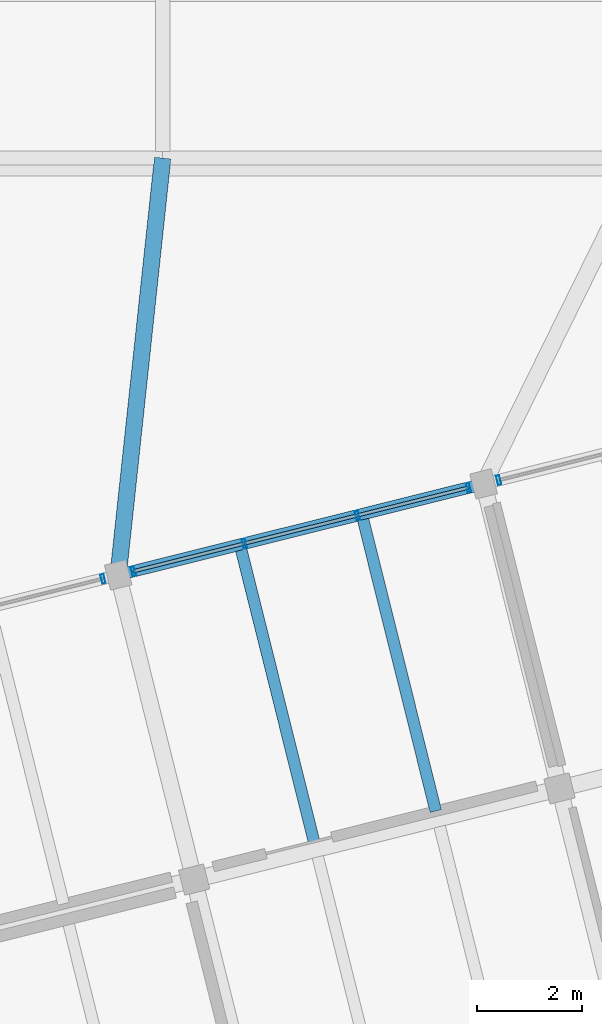
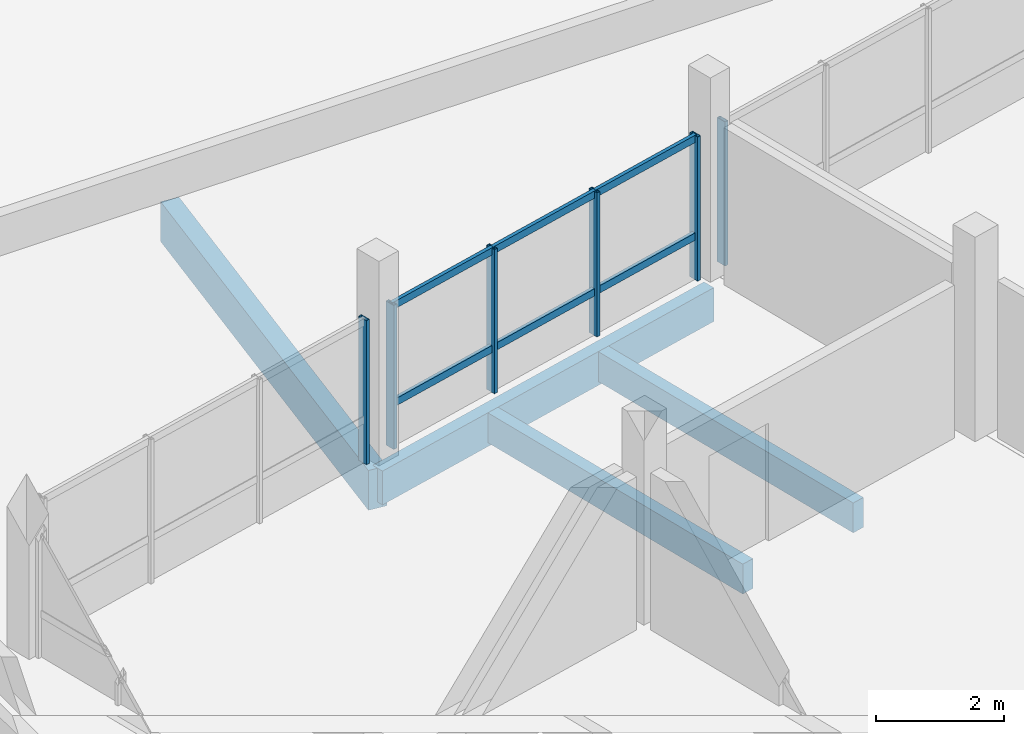
# One storey, part 21 of 37: 12 members, 4 beams, 3 elements without a shape of their own.
"""IFC4 building model written with IfcOpenShell, lengths in metres."""

from ifc_helpers import new_model, si_unit, direction, frame, origin, origin_2d, place, context, subcontext, project, spatial, rectangle, hollow_rectangle, extrude, material, layer, layer_set, material_profile, profile_set, type_object, element, aggregate, save


model = new_model("IFC4")

# Units and contexts
model_context = context("Model", 3, precision=1e-05, world=origin(), true_north=direction((0.0, 1.0)))
body_context = subcontext(model_context, "Body", "Model", "MODEL_VIEW")
ifc_project = project(units=[si_unit("LENGTHUNIT", "METRE"), si_unit("AREAUNIT", "SQUARE_METRE"), si_unit("VOLUMEUNIT", "CUBIC_METRE"), si_unit("PLANEANGLEUNIT", "RADIAN"), si_unit("MASSUNIT", "GRAM", prefix="KILO")], contexts=[model_context])

# Site, building, storey
site_placement = place(None, origin())
site = spatial("IfcSite", under=ifc_project, at=site_placement, CompositionType="ELEMENT")
building_placement = place(site_placement, origin())
building = spatial("IfcBuilding", under=site, at=building_placement, Name="Meriwether Solvik Hall", CompositionType="ELEMENT")
storey_placement = place(building_placement, frame((0.0, 0.0, 26.10009765625)))
storey = spatial("IfcBuildingStorey", under=building, at=storey_placement, Name="L06", CompositionType="ELEMENT", Elevation=26.10009765625)

# Beams
ifc_material_1 = material(Name="Glulam Douglas-Fir 24F-V8 GL28h", Category="wood")
ifc_material_profile_1 = material_profile(ifc_material_1, rectangle(XDim=0.221923828125, YDim=0.64501953125, at=origin_2d()), Name="GLB-222X645")
ifc_profile_set_1 = profile_set([ifc_material_profile_1], Name="Glulam Douglas-Fir 24F-V8 GL28h")
beam_type_1 = type_object("IfcBeamType", Name="BM-GL-222X645", PredefinedType="SPANDREL", material=ifc_profile_set_1)
beam_1_placement = place(storey_placement, frame((67.7490234375, 76.028564453125, -0.592529296875), z_axis=(0.970291911955, 0.241937193493, 0.0), x_axis=(-0.241937193493, 0.970291911955, 0.0)))
element("IfcBeam", 1, at=beam_1_placement, inside=storey, type_object=beam_type_1, Name="Tower Girder TF:T2-T3 (L06)", PredefinedType="SPANDREL", context=body_context, shape_type="SweptSolid", body=[
    extrude(rectangle(XDim=0.221923828125, YDim=0.64501953125, at=origin_2d()), origin(), (0.0, 0.0, 1.0), 7.199951171875),
])
ifc_material_2 = material(Name="Glulam Douglas-Fir 24F-V8 GL28h", Category="wood")
ifc_material_profile_2 = material_profile(ifc_material_2, rectangle(XDim=0.31494140625, YDim=0.760009765625, at=origin_2d()), Name="GLB-315X760")
ifc_profile_set_2 = profile_set([ifc_material_profile_2], Name="Glulam Douglas-Fir 24F-V8 GL28h")
beam_type_2 = type_object("IfcBeamType", Name="BM-GL-315X760", PredefinedType="BEAM", material=ifc_profile_set_2)
beam_2_placement = place(storey_placement, frame((67.7490234375, 76.028564453125, -0.650146484375), z_axis=(0.106162139873, 0.99434883218, 0.0), x_axis=(-0.99434883218, 0.106162139873, 0.0)))
element("IfcBeam", 2, at=beam_2_placement, inside=storey, type_object=beam_type_2, Name="Diaphragm Collector Girder T2/TF-8/J (L06)", PredefinedType="BEAM", context=body_context, shape_type="SweptSolid", body=[
    extrude(rectangle(XDim=0.31494140625, YDim=0.760009765625, at=origin_2d()), origin(), (0.0, 0.0, 1.0), 8.016845703125),
])

# Curtain wall, member
ifc_material_3 = material(Name="Thermally Broken Anodised Aluminium 6063-T6 and Low-E Glass", Category="aluminium")
ifc_layer_1 = layer(ifc_material_3, 0.179931640625)
ifc_layer_set_1 = layer_set([ifc_layer_1], Name="Thermally Broken Anodised Aluminium 6063-T6 and Low-E Glass")
curtain_wall_type_1 = type_object("IfcCurtainWallType", Name="CW-UNIT-A", PredefinedType="USERDEFINED", material=ifc_layer_set_1)
curtain_wall_1_placement = place(storey_placement, origin())
curtain_wall_1 = element("IfcCurtainWall", 3, at=curtain_wall_1_placement, inside=storey, type_object=curtain_wall_type_1, Name="Curtain Wall E4_B0 (L06)", ObjectType="UNITISED CURTAIN WALL", PredefinedType="USERDEFINED")
ifc_material_4 = material(Name="Anodised Aluminium 6063-T6", Category="aluminium")
ifc_material_profile_3 = material_profile(ifc_material_4, hollow_rectangle(XDim=0.06494140625, YDim=0.179931640625, WallThickness=0.00439453125, at=origin_2d()), Name="CWM-65X180")
ifc_profile_set_3 = profile_set([ifc_material_profile_3], Name="Anodised Aluminium 6063-T6")
member_type_1 = type_object("IfcMemberType", Name="CW-MUL-65X180", PredefinedType="MULLION", material=ifc_profile_set_3)
member_1_placement = place(storey_placement, frame((67.460205078125, 75.956787109375, 0.0), z_axis=(0.0, 0.0, 1.0), x_axis=(0.970295724068, 0.241921904457, 0.0)))
member_1 = element("IfcMember", 4, at=member_1_placement, type_object=member_type_1, Name="Curtain Wall Mullion 4", PredefinedType="MULLION", context=body_context, shape_type="SweptSolid", body=[
    extrude(hollow_rectangle(XDim=0.06494140625, YDim=0.179931640625, WallThickness=0.00439453125, at=origin_2d()), origin(), (0.0, 0.0, 1.0), 2.75),
])
aggregate(curtain_wall_1, [member_1])

# Curtain wall, members
ifc_material_5 = material(Name="Thermally Broken Anodised Aluminium 6063-T6 and Low-E Glass", Category="aluminium")
ifc_layer_2 = layer(ifc_material_5, 0.179931640625)
ifc_layer_set_2 = layer_set([ifc_layer_2], Name="Thermally Broken Anodised Aluminium 6063-T6 and Low-E Glass")
curtain_wall_type_2 = type_object("IfcCurtainWallType", Name="CW-UNIT-B", PredefinedType="USERDEFINED", material=ifc_layer_set_2)
curtain_wall_2_placement = place(storey_placement, origin())
curtain_wall_2 = element("IfcCurtainWall", 5, at=curtain_wall_2_placement, inside=storey, type_object=curtain_wall_type_2, Name="Curtain Wall E4_B1 (L06)", ObjectType="UNITISED CURTAIN WALL", PredefinedType="USERDEFINED")
member_2_placement = place(storey_placement, frame((68.03759765625, 76.1005859375, 0.0), z_axis=(0.0, 0.0, 1.0), x_axis=(0.970295734974, 0.241921860714, 0.0)))
member_2 = element("IfcMember", 6, at=member_2_placement, type_object=member_type_1, Name="Curtain Wall Mullion 1", PredefinedType="MULLION", context=body_context, shape_type="SweptSolid", body=[
    extrude(hollow_rectangle(XDim=0.06494140625, YDim=0.179931640625, WallThickness=0.00439453125, at=origin_2d()), origin(), (0.0, 0.0, 1.0), 2.75),
])
member_3_placement = place(storey_placement, frame((70.16162109375, 76.630126953125, 0.0), z_axis=(0.0, 0.0, 1.0), x_axis=(0.970295734974, 0.241921860714, 0.0)))
member_3 = element("IfcMember", 7, at=member_3_placement, type_object=member_type_1, Name="Curtain Wall Mullion 2", PredefinedType="MULLION", context=body_context, shape_type="SweptSolid", body=[
    extrude(hollow_rectangle(XDim=0.06494140625, YDim=0.179931640625, WallThickness=0.00439453125, at=origin_2d()), origin(), (0.0, 0.0, 1.0), 2.75),
])
member_4_placement = place(storey_placement, frame((72.322509765625, 77.1689453125, 0.0), z_axis=(0.0, 0.0, 1.0), x_axis=(0.970295734974, 0.241921860714, 0.0)))
member_4 = element("IfcMember", 8, at=member_4_placement, type_object=member_type_1, Name="Curtain Wall Mullion 3", PredefinedType="MULLION", context=body_context, shape_type="SweptSolid", body=[
    extrude(hollow_rectangle(XDim=0.06494140625, YDim=0.179931640625, WallThickness=0.00439453125, at=origin_2d()), origin(), (0.0, 0.0, 1.0), 2.75),
])
member_5_placement = place(storey_placement, frame((74.4462890625, 77.698486328125, 0.0), z_axis=(0.0, 0.0, 1.0), x_axis=(0.970295734974, 0.241921860714, 0.0)))
member_5 = element("IfcMember", 9, at=member_5_placement, type_object=member_type_1, Name="Curtain Wall Mullion 4", PredefinedType="MULLION", context=body_context, shape_type="SweptSolid", body=[
    extrude(hollow_rectangle(XDim=0.06494140625, YDim=0.179931640625, WallThickness=0.00439453125, at=origin_2d()), origin(), (0.0, 0.0, 1.0), 2.75),
])

# Curtain wall, member
ifc_material_6 = material(Name="Thermally Broken Anodised Aluminium 6063-T6 and Low-E Glass", Category="aluminium")
ifc_layer_3 = layer(ifc_material_6, 0.179931640625)
ifc_layer_set_3 = layer_set([ifc_layer_3], Name="Thermally Broken Anodised Aluminium 6063-T6 and Low-E Glass")
curtain_wall_type_3 = type_object("IfcCurtainWallType", Name="CW-UNIT-C", PredefinedType="USERDEFINED", material=ifc_layer_set_3)
curtain_wall_3_placement = place(storey_placement, origin())
curtain_wall_3 = element("IfcCurtainWall", 10, at=curtain_wall_3_placement, inside=storey, type_object=curtain_wall_type_3, Name="Curtain Wall E4_B2 (L06)", ObjectType="UNITISED CURTAIN WALL", PredefinedType="USERDEFINED")
member_6_placement = place(storey_placement, frame((75.023681640625, 77.842529296875, 0.0), z_axis=(0.0, 0.0, 1.0), x_axis=(0.970295699836, 0.241922001646, 0.0)))
member_6 = element("IfcMember", 11, at=member_6_placement, type_object=member_type_1, Name="Curtain Wall Mullion 1", PredefinedType="MULLION", context=body_context, shape_type="SweptSolid", body=[
    extrude(hollow_rectangle(XDim=0.06494140625, YDim=0.179931640625, WallThickness=0.00439453125, at=origin_2d()), origin(), (0.0, 0.0, 1.0), 2.75),
])
aggregate(curtain_wall_3, [member_6])

# Member
ifc_material_7 = material(Name="Anodised Aluminium 6063-T6", Category="aluminium")
ifc_material_profile_4 = material_profile(ifc_material_7, hollow_rectangle(XDim=0.06494140625, YDim=0.139892578125, WallThickness=0.00439453125, at=origin_2d()), Name="CWT-65X140")
ifc_profile_set_4 = profile_set([ifc_material_profile_4], Name="Anodised Aluminium 6063-T6")
member_type_2 = type_object("IfcMemberType", Name="CW-TRN-65X140", PredefinedType="USERDEFINED", material=ifc_profile_set_4)
member_7_placement = place(storey_placement, frame((68.03759765625, 76.1005859375, 0.824951171875), z_axis=(0.970299748003, 0.241905764761, 0.0), x_axis=(-0.241905764761, 0.970299748003, 0.0)))
member_7 = element("IfcMember", 12, at=member_7_placement, type_object=member_type_2, Name="Curtain Wall Transom 1-sill", ObjectType="TRANSOM", PredefinedType="USERDEFINED", context=body_context, shape_type="SweptSolid", body=[
    extrude(hollow_rectangle(XDim=0.06494140625, YDim=0.139892578125, WallThickness=0.00439453125, at=origin_2d()), origin(), (0.0, 0.0, 1.0), 2.18896484375),
])

member_8_placement = place(storey_placement, frame((68.03759765625, 76.1005859375, 2.68994140625), z_axis=(0.970299748003, 0.241905764761, 0.0), x_axis=(-0.241905764761, 0.970299748003, 0.0)))
member_8 = element("IfcMember", 13, at=member_8_placement, type_object=member_type_2, Name="Curtain Wall Transom 1-head", ObjectType="TRANSOM", PredefinedType="USERDEFINED", context=body_context, shape_type="SweptSolid", body=[
    extrude(hollow_rectangle(XDim=0.06494140625, YDim=0.139892578125, WallThickness=0.00439453125, at=origin_2d()), origin(), (0.0, 0.0, 1.0), 2.18896484375),
])

member_9_placement = place(storey_placement, frame((70.16162109375, 76.630126953125, 0.824951171875), z_axis=(0.970290634888, 0.241942315128, 0.0), x_axis=(-0.241942315128, 0.970290634888, 0.0)))
member_9 = element("IfcMember", 14, at=member_9_placement, type_object=member_type_2, Name="Curtain Wall Transom 2-sill", ObjectType="TRANSOM", PredefinedType="USERDEFINED", context=body_context, shape_type="SweptSolid", body=[
    extrude(hollow_rectangle(XDim=0.06494140625, YDim=0.139892578125, WallThickness=0.00439453125, at=origin_2d()), origin(), (0.0, 0.0, 1.0), 2.22705078125),
])

member_10_placement = place(storey_placement, frame((70.16162109375, 76.630126953125, 2.68994140625), z_axis=(0.970290634888, 0.241942315128, 0.0), x_axis=(-0.241942315128, 0.970290634888, 0.0)))
member_10 = element("IfcMember", 15, at=member_10_placement, type_object=member_type_2, Name="Curtain Wall Transom 2-head", ObjectType="TRANSOM", PredefinedType="USERDEFINED", context=body_context, shape_type="SweptSolid", body=[
    extrude(hollow_rectangle(XDim=0.06494140625, YDim=0.139892578125, WallThickness=0.00439453125, at=origin_2d()), origin(), (0.0, 0.0, 1.0), 2.22705078125),
])

member_11_placement = place(storey_placement, frame((72.322509765625, 77.1689453125, 0.824951171875), z_axis=(0.970293220462, 0.241931945647, 0.0), x_axis=(-0.241931945647, 0.970293220462, 0.0)))
member_11 = element("IfcMember", 16, at=member_11_placement, type_object=member_type_2, Name="Curtain Wall Transom 3-sill", ObjectType="TRANSOM", PredefinedType="USERDEFINED", context=body_context, shape_type="SweptSolid", body=[
    extrude(hollow_rectangle(XDim=0.06494140625, YDim=0.139892578125, WallThickness=0.00439453125, at=origin_2d()), origin(), (0.0, 0.0, 1.0), 2.188720703125),
])

member_12_placement = place(storey_placement, frame((72.322509765625, 77.1689453125, 2.68994140625), z_axis=(0.970293220462, 0.241931945647, 0.0), x_axis=(-0.241931945647, 0.970293220462, 0.0)))
member_12 = element("IfcMember", 17, at=member_12_placement, type_object=member_type_2, Name="Curtain Wall Transom 3-head", ObjectType="TRANSOM", PredefinedType="USERDEFINED", context=body_context, shape_type="SweptSolid", body=[
    extrude(hollow_rectangle(XDim=0.06494140625, YDim=0.139892578125, WallThickness=0.00439453125, at=origin_2d()), origin(), (0.0, 0.0, 1.0), 2.188720703125),
])

aggregate(curtain_wall_2, [member_2, member_3, member_4, member_5, member_7, member_8, member_9, member_10, member_11, member_12])

# Beams
ifc_material_8 = material(Name="Glulam Douglas-Fir 24F-V8 GL28h", Category="wood")
ifc_material_profile_5 = material_profile(ifc_material_8, rectangle(XDim=0.221923828125, YDim=0.570068359375, at=origin_2d()), Name="GLJ-222X570")
ifc_profile_set_5 = profile_set([ifc_material_profile_5], Name="Glulam Douglas-Fir 24F-V8 GL28h")
beam_type_3 = type_object("IfcBeamType", Name="JST-GL-222X570", PredefinedType="JOIST", material=ifc_profile_set_5)
for number, where, z_axis, x_axis, name in (
    (18, (71.4921875, 70.935546875, -0.55517578125), (-0.241915235082, 0.970297386905, 0.0), (-0.970297386905, -0.241915235082, 0.0), "Glulam Floor Joist T2/TE-J1 (L06)"),
    (19, (73.821044921875, 71.51611328125, -0.55517578125), (-0.241955269204, 0.970287404692, 0.0), (-0.970287404692, -0.241955269204, 0.0), "Glulam Floor Joist T2/TE-J2 (L06)"),
):
    element("IfcBeam", number, at=place(storey_placement, frame(where, z_axis=z_axis, x_axis=x_axis)), inside=storey, type_object=beam_type_3, Name=name, PredefinedType="JOIST", context=body_context, shape_type="SweptSolid", body=[
        extrude(rectangle(XDim=0.221923828125, YDim=0.570068359375, at=origin_2d()), origin(), (0.0, 0.0, 1.0), 5.741455078125),
    ])

save(model, "model.ifc")
